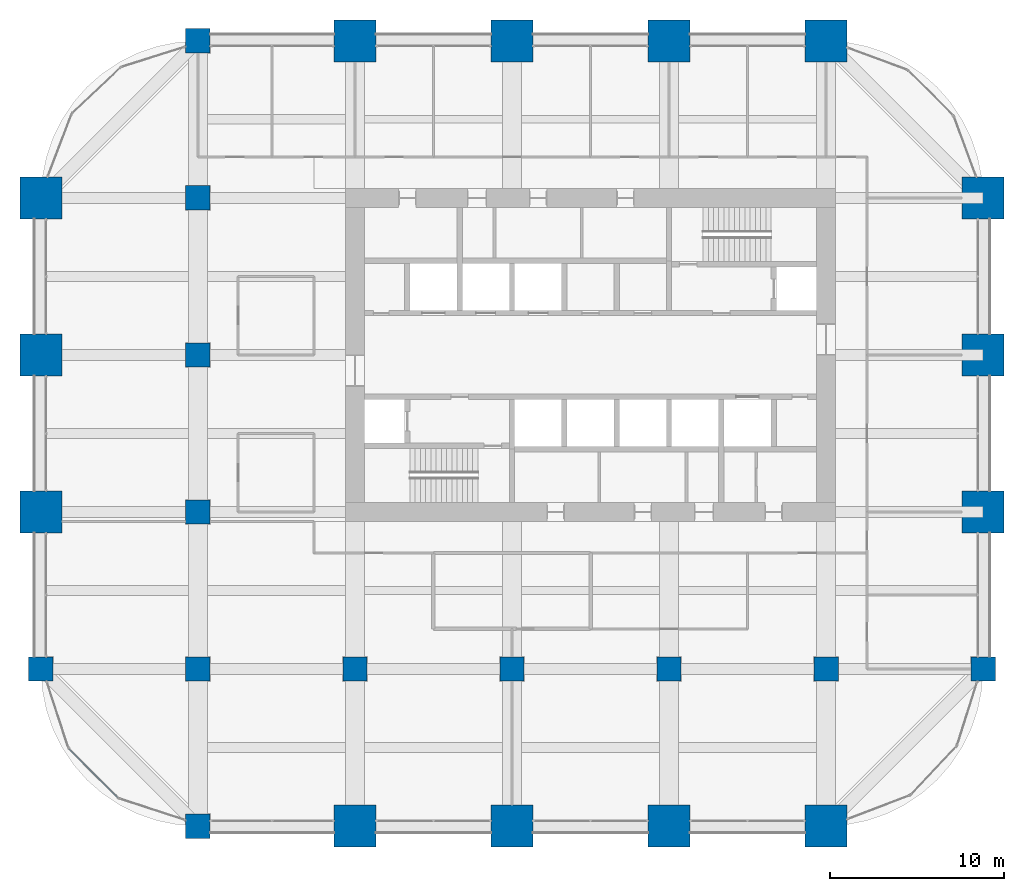
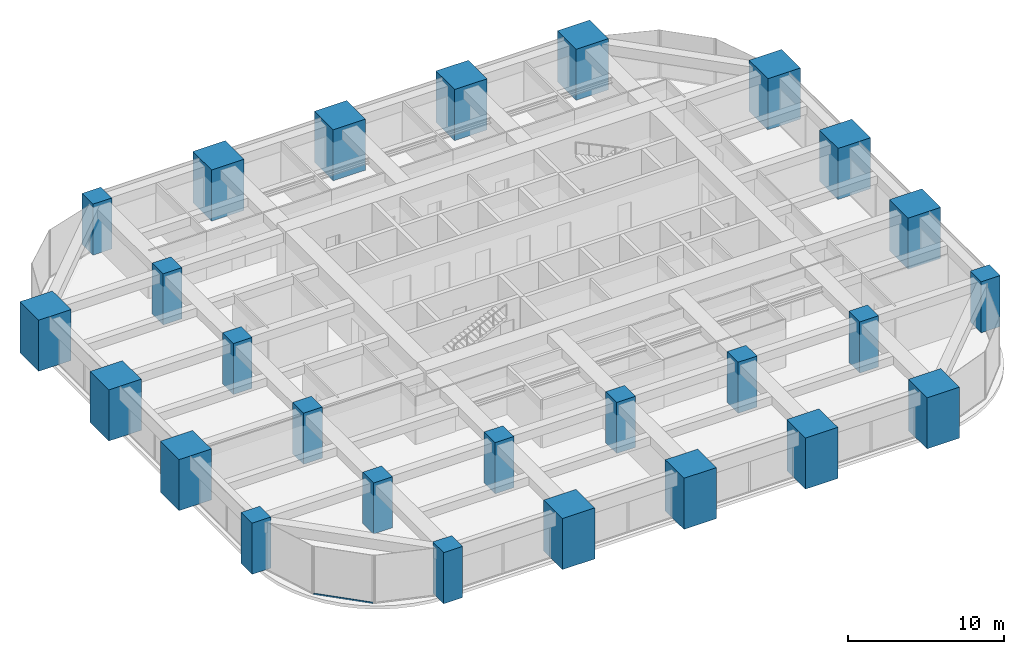
# One storey, part 1 of 32: 26 columns, 1 member, 1 element without a shape of its own.
"""IFC4 building model written with IfcOpenShell, lengths in metres."""

from ifc_helpers import new_model, si_unit, direction, frame, origin, origin_2d, place, context, subcontext, project, spatial, rectangle, hollow_rectangle, extrude, material, material_profile, profile_set, type_object, element, aggregate, save


model = new_model("IFC4")

# Units and contexts
model_context = context("Model", 3, precision=1e-05, world=origin(), true_north=direction((0.0, 1.0)))
body_context = subcontext(model_context, "Body", "Model", "MODEL_VIEW")
ifc_project = project(units=[si_unit("LENGTHUNIT", "METRE"), si_unit("AREAUNIT", "SQUARE_METRE"), si_unit("VOLUMEUNIT", "CUBIC_METRE"), si_unit("PLANEANGLEUNIT", "RADIAN"), si_unit("MASSUNIT", "GRAM", prefix="KILO")], contexts=[model_context])

# Site, building, storey
site_placement = place(None, origin())
site = spatial("IfcSite", under=ifc_project, at=site_placement, CompositionType="ELEMENT")
building_placement = place(site_placement, origin())
building = spatial("IfcBuilding", under=site, at=building_placement, Name="Zorevar Civic Tower", CompositionType="ELEMENT")
storey_placement = place(building_placement, frame((0.0, 0.0, 202.199951171875)))
storey = spatial("IfcBuildingStorey", under=building, at=storey_placement, Name="L49", CompositionType="ELEMENT", Elevation=202.199951171875)

# Columns
ifc_material_1 = material(Name="Concrete C50/60", Category="concrete")
ifc_material_profile_1 = material_profile(ifc_material_1, rectangle(XDim=1.39990234375, YDim=1.39990234375, at=origin_2d()), Name="RC 1400x1400")
ifc_profile_set_1 = profile_set([ifc_material_profile_1], Name="Concrete C50/60")
column_type_1 = type_object("IfcColumnType", Name="Column RC 1400x1400", PredefinedType="COLUMN", material=ifc_profile_set_1)
for number, where, z_axis, x_axis, name in (
    (1, (0.0, 9.0, 0.0), (0.0, 0.0, 1.0), (1.0, 0.0, 0.0), "Column 2B L49"),
    (2, (9.0, 0.0, 0.0), (0.0, 0.0, 1.0), (1.0, 0.0, 0.0), "Column 3A L49"),
    (3, (9.0, 9.0, 0.0), (0.0, 0.0, 1.0), (1.0, 0.0, 0.0), "Column 3B L49"),
    (4, (9.0, 18.0, 0.0), (0.0, 0.0, 1.0), (1.0, 0.0, 0.0), "Column 3C L49"),
    (5, (9.0, 27.0, 0.0), (0.0, 0.0, 1.0), (1.0, 0.0, 0.0), "Column 3D L49"),
    (6, (9.0, 36.0, 0.0), (0.0, 0.0, 1.0), (1.0, 0.0, 0.0), "Column 3E L49"),
    (7, (9.0, 45.0, 0.0), (0.0, 0.0, 1.0), (1.0, 0.0, 0.0), "Column 3F L49"),
    (8, (18.0, 9.0, 0.0), (0.0, 0.0, 1.0), (1.0, 0.0, 0.0), "Column 4B L49"),
    (9, (27.0, 9.0, 0.0), (0.0, 0.0, 1.0), (1.0, 0.0, 0.0), "Column 5B L49"),
    (10, (36.0, 9.0, 0.0), (0.0, 0.0, 1.0), (1.0, 0.0, 0.0), "Column 6B L49"),
    (11, (45.0, 9.0, 0.0), (0.0, 0.0, 1.0), (1.0, 0.0, 0.0), "Column 7B L49"),
    (12, (54.0, 9.0, 0.0), (0.0, 0.0, 1.0), (1.0, 0.0, 0.0), "Column 8B L49"),
):
    element("IfcColumn", number, at=place(storey_placement, frame(where, z_axis=z_axis, x_axis=x_axis)), inside=storey, type_object=column_type_1, Name=name, PredefinedType="COLUMN", context=body_context, shape_type="SweptSolid", body=[
        extrude(rectangle(XDim=1.39990234375, YDim=1.39990234375, at=origin_2d()), origin(), (0.0, 0.0, 1.0), 4.0),
    ])
ifc_material_2 = material(Name="Concrete C50/60", Category="concrete")
ifc_material_profile_2 = material_profile(ifc_material_2, rectangle(XDim=2.39990234375, YDim=2.39990234375, at=origin_2d()), Name="RC 2400x2400")
ifc_profile_set_2 = profile_set([ifc_material_profile_2], Name="Concrete C50/60")
column_type_2 = type_object("IfcColumnType", Name="Mega column RC 2400x2400", PredefinedType="COLUMN", material=ifc_profile_set_2)
for number, where, z_axis, x_axis, name in (
    (13, (0.0, 18.0, 0.0), (0.0, 0.0, 1.0), (1.0, 0.0, 0.0), "Column 2C L49"),
    (14, (0.0, 27.0, 0.0), (0.0, 0.0, 1.0), (1.0, 0.0, 0.0), "Column 2D L49"),
    (15, (0.0, 36.0, 0.0), (0.0, 0.0, 1.0), (1.0, 0.0, 0.0), "Column 2E L49"),
    (16, (18.0, 0.0, 0.0), (0.0, 0.0, 1.0), (1.0, 0.0, 0.0), "Column 4A L49"),
    (17, (18.0, 45.0, 0.0), (0.0, 0.0, 1.0), (1.0, 0.0, 0.0), "Column 4F L49"),
    (18, (27.0, 0.0, 0.0), (0.0, 0.0, 1.0), (1.0, 0.0, 0.0), "Column 5A L49"),
    (19, (27.0, 45.0, 0.0), (0.0, 0.0, 1.0), (1.0, 0.0, 0.0), "Column 5F L49"),
    (20, (36.0, 0.0, 0.0), (0.0, 0.0, 1.0), (1.0, 0.0, 0.0), "Column 6A L49"),
    (21, (36.0, 45.0, 0.0), (0.0, 0.0, 1.0), (1.0, 0.0, 0.0), "Column 6F L49"),
    (22, (45.0, 0.0, 0.0), (0.0, 0.0, 1.0), (1.0, 0.0, 0.0), "Column 7A L49"),
    (23, (45.0, 45.0, 0.0), (0.0, 0.0, 1.0), (1.0, 0.0, 0.0), "Column 7F L49"),
    (24, (54.0, 18.0, 0.0), (0.0, 0.0, 1.0), (1.0, 0.0, 0.0), "Column 8C L49"),
    (25, (54.0, 27.0, 0.0), (0.0, 0.0, 1.0), (1.0, 0.0, 0.0), "Column 8D L49"),
    (26, (54.0, 36.0, 0.0), (0.0, 0.0, 1.0), (1.0, 0.0, 0.0), "Column 8E L49"),
):
    element("IfcColumn", number, at=place(storey_placement, frame(where, z_axis=z_axis, x_axis=x_axis)), inside=storey, type_object=column_type_2, Name=name, PredefinedType="COLUMN", context=body_context, shape_type="SweptSolid", body=[
        extrude(rectangle(XDim=2.39990234375, YDim=2.39990234375, at=origin_2d()), origin(), (0.0, 0.0, 1.0), 4.0),
    ])

# Curtain wall, member
ifc_material_3 = material(Name="Dark grey solar-control glass in black aluminium frame", Category="aluminium")
curtain_wall_type = type_object("IfcCurtainWallType", Name="Curtain wall CW4 high zone", PredefinedType="NOTDEFINED", material=ifc_material_3)
curtain_wall_placement = place(storey_placement, origin())
curtain_wall = element("IfcCurtainWall", 27, at=curtain_wall_placement, inside=storey, type_object=curtain_wall_type, Name="CW4 L49", PredefinedType="NOTDEFINED")
ifc_material_4 = material(Name="Aluminium, black anodised", Category="aluminium")
ifc_material_profile_3 = material_profile(ifc_material_4, hollow_rectangle(XDim=0.06005859375, YDim=0.1201171875, WallThickness=0.0029296875, at=origin_2d()), Name="AL 120x60x3")
ifc_profile_set_3 = profile_set([ifc_material_profile_3], Name="Aluminium, black anodised")
member_type = type_object("IfcMemberType", Name="CW4 transom AL 120x60x3", PredefinedType="USERDEFINED", material=ifc_profile_set_3)
member_placement = place(storey_placement, frame((1.62744140625, 4.406982421875, 0.030029296875), z_axis=(0.707106781187, -0.707106781187, 0.0), x_axis=(0.707106781187, 0.707106781187, 0.0)))
member = element("IfcMember", 28, at=member_placement, type_object=member_type, Name="CW4 sill transom", ObjectType="TRANSOM", PredefinedType="USERDEFINED", context=body_context, shape_type="SweptSolid", body=[
    extrude(hollow_rectangle(XDim=0.06005859375, YDim=0.1201171875, WallThickness=0.0029296875, at=origin_2d()), origin(), (0.0, 0.0, 1.0), 3.930908203125),
])
aggregate(curtain_wall, [member])

save(model, "model.ifc")
